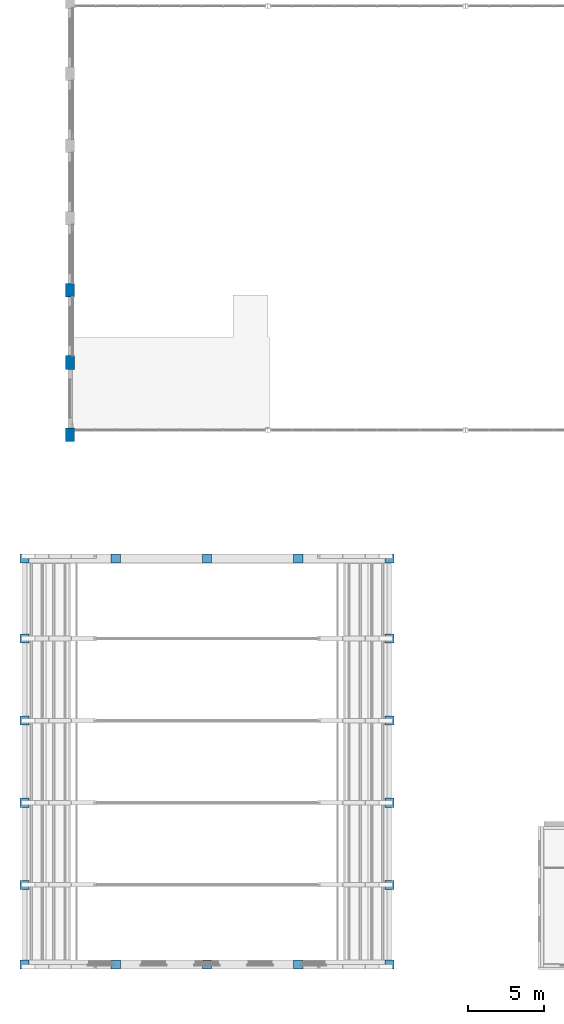
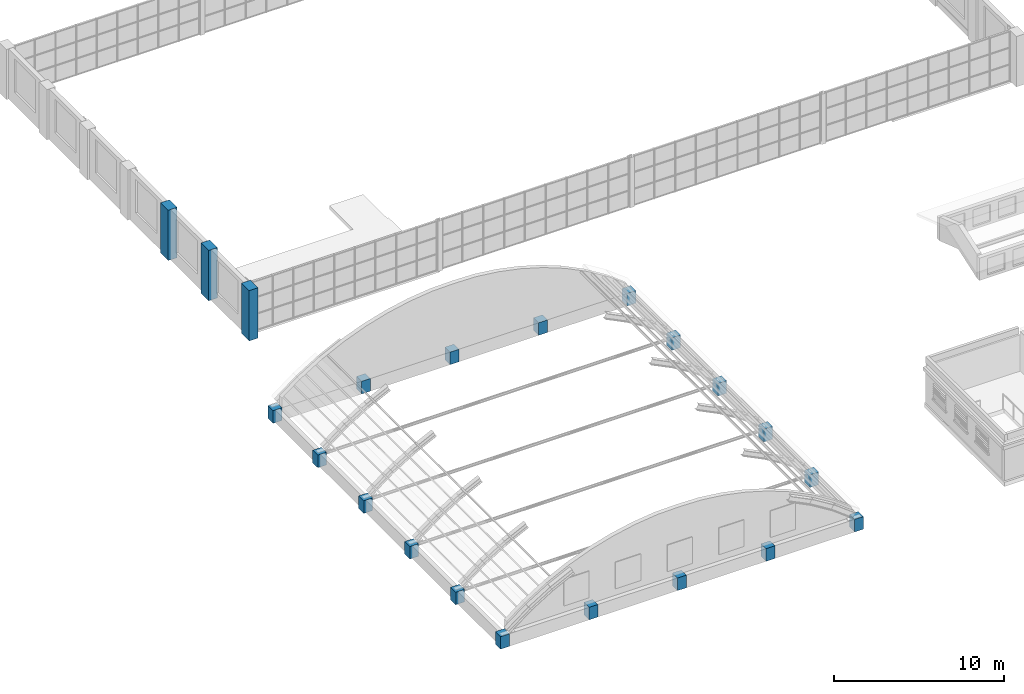
# One storey, part 1 of 70: 21 columns.
"""IFC4 building model written with IfcOpenShell, lengths in metres."""

from ifc_helpers import new_model, si_unit, direction, frame, origin, origin_2d, place, context, subcontext, project, spatial, rectangle, extrude, material, material_profile, profile_set, type_object, element, save


model = new_model("IFC4")

# Units and contexts
model_context = context("Model", 3, precision=1e-05, world=origin(), true_north=direction((0.0, 1.0)))
body_context = subcontext(model_context, "Body", "Model", "MODEL_VIEW")
ifc_project = project(units=[si_unit("LENGTHUNIT", "METRE"), si_unit("AREAUNIT", "SQUARE_METRE"), si_unit("VOLUMEUNIT", "CUBIC_METRE"), si_unit("PLANEANGLEUNIT", "RADIAN"), si_unit("MASSUNIT", "GRAM", prefix="KILO")], contexts=[model_context])

# Site, building, storey
site_placement = place(None, origin())
site = spatial("IfcSite", under=ifc_project, at=site_placement, CompositionType="ELEMENT")
building_placement = place(site_placement, origin())
building = spatial("IfcBuilding", under=site, at=building_placement, Name="Elbe Cascade School", CompositionType="ELEMENT")
storey_placement = place(building_placement, frame((0.0, 0.0, 8.10009765625)))
storey = spatial("IfcBuildingStorey", under=building, at=storey_placement, Name="L02", CompositionType="ELEMENT", Elevation=8.10009765625)

# Columns
ifc_material_1 = material(Name="Concrete C30/37", Category="concrete")
ifc_material_profile_1 = material_profile(ifc_material_1, rectangle(XDim=0.60009765625, YDim=0.60009765625, at=origin_2d()), Name="RC 600x600")
ifc_profile_set_1 = profile_set([ifc_material_profile_1], Name="Concrete C30/37")
column_type_1 = type_object("IfcColumnType", Name="Assembly hall column RC 600x600", PredefinedType="COLUMN", material=ifc_profile_set_1)
for number, where, z_axis, x_axis, name in (
    (1, (5.0, 6.14990234375, 0.0), (0.0, 0.0, 1.0), (1.0, 0.0, 0.0), "Assembly hall column RC 600x600 C6"),
    (2, (5.0, 11.39990234375, 0.0), (0.0, 0.0, 1.0), (1.0, 0.0, 0.0), "Assembly hall column RC 600x600 C6"),
    (3, (5.0, 16.800048828125, 0.0), (0.0, 0.0, 1.0), (1.0, 0.0, 0.0), "Assembly hall column RC 600x600 C6"),
    (4, (5.0, 22.199951171875, 0.0), (0.0, 0.0, 1.0), (1.0, 0.0, 0.0), "Assembly hall column RC 600x600 C6"),
    (5, (5.0, 27.60009765625, 0.0), (0.0, 0.0, 1.0), (1.0, 0.0, 0.0), "Assembly hall column RC 600x600 C6"),
    (6, (5.0, 32.85009765625, 0.0), (0.0, 0.0, 1.0), (1.0, 0.0, 0.0), "Assembly hall column RC 600x600 C6"),
    (7, (11.0, 6.14990234375, 0.0), (0.0, 0.0, 1.0), (1.0, 0.0, 0.0), "Assembly hall column RC 600x600 C6"),
    (8, (11.0, 32.85009765625, 0.0), (0.0, 0.0, 1.0), (1.0, 0.0, 0.0), "Assembly hall column RC 600x600 C6"),
    (9, (17.0, 6.14990234375, 0.0), (0.0, 0.0, 1.0), (1.0, 0.0, 0.0), "Assembly hall column RC 600x600 C6"),
    (10, (17.0, 32.85009765625, 0.0), (0.0, 0.0, 1.0), (1.0, 0.0, 0.0), "Assembly hall column RC 600x600 C6"),
    (11, (23.0, 6.14990234375, 0.0), (0.0, 0.0, 1.0), (1.0, 0.0, 0.0), "Assembly hall column RC 600x600 C6"),
    (12, (23.0, 32.85009765625, 0.0), (0.0, 0.0, 1.0), (1.0, 0.0, 0.0), "Assembly hall column RC 600x600 C6"),
    (13, (29.0, 6.14990234375, 0.0), (0.0, 0.0, 1.0), (1.0, 0.0, 0.0), "Assembly hall column RC 600x600 C6"),
    (14, (29.0, 11.39990234375, 0.0), (0.0, 0.0, 1.0), (1.0, 0.0, 0.0), "Assembly hall column RC 600x600 C6"),
    (15, (29.0, 16.800048828125, 0.0), (0.0, 0.0, 1.0), (1.0, 0.0, 0.0), "Assembly hall column RC 600x600 C6"),
    (16, (29.0, 22.199951171875, 0.0), (0.0, 0.0, 1.0), (1.0, 0.0, 0.0), "Assembly hall column RC 600x600 C6"),
    (17, (29.0, 27.60009765625, 0.0), (0.0, 0.0, 1.0), (1.0, 0.0, 0.0), "Assembly hall column RC 600x600 C6"),
    (18, (29.0, 32.85009765625, 0.0), (0.0, 0.0, 1.0), (1.0, 0.0, 0.0), "Assembly hall column RC 600x600 C6"),
):
    element("IfcColumn", number, at=place(storey_placement, frame(where, z_axis=z_axis, x_axis=x_axis)), inside=storey, type_object=column_type_1, Name=name, PredefinedType="COLUMN", context=body_context, shape_type="SweptSolid", body=[
        extrude(rectangle(XDim=0.60009765625, YDim=0.60009765625, at=origin_2d()), origin(), (0.0, 0.0, 1.0), 0.89990234375),
    ])
ifc_material_2 = material(Name="Concrete C30/37", Category="concrete")
ifc_material_profile_2 = material_profile(ifc_material_2, rectangle(XDim=0.60009765625, YDim=0.89990234375, at=origin_2d()), Name="RC 600x900")
ifc_profile_set_2 = profile_set([ifc_material_profile_2], Name="Concrete C30/37")
column_type_2 = type_object("IfcColumnType", Name="Hall pilaster RC 600x900", PredefinedType="COLUMN", material=ifc_profile_set_2)
for number, where, z_axis, x_axis, name in (
    (19, (8.0, 41.0, 0.0), (0.0, 0.0, 1.0), (1.0, 0.0, 0.0), "Pilaster W1"),
    (20, (8.0, 45.75, 0.0), (0.0, 0.0, 1.0), (1.0, 0.0, 0.0), "Pilaster W2"),
    (21, (8.0, 50.5, 0.0), (0.0, 0.0, 1.0), (1.0, 0.0, 0.0), "Pilaster W3"),
):
    element("IfcColumn", number, at=place(storey_placement, frame(where, z_axis=z_axis, x_axis=x_axis)), inside=storey, type_object=column_type_2, Name=name, PredefinedType="COLUMN", context=body_context, shape_type="SweptSolid", body=[
        extrude(rectangle(XDim=0.60009765625, YDim=0.89990234375, at=origin_2d()), origin(), (0.0, 0.0, 1.0), 3.599853515625),
    ])

save(model, "model.ifc")
